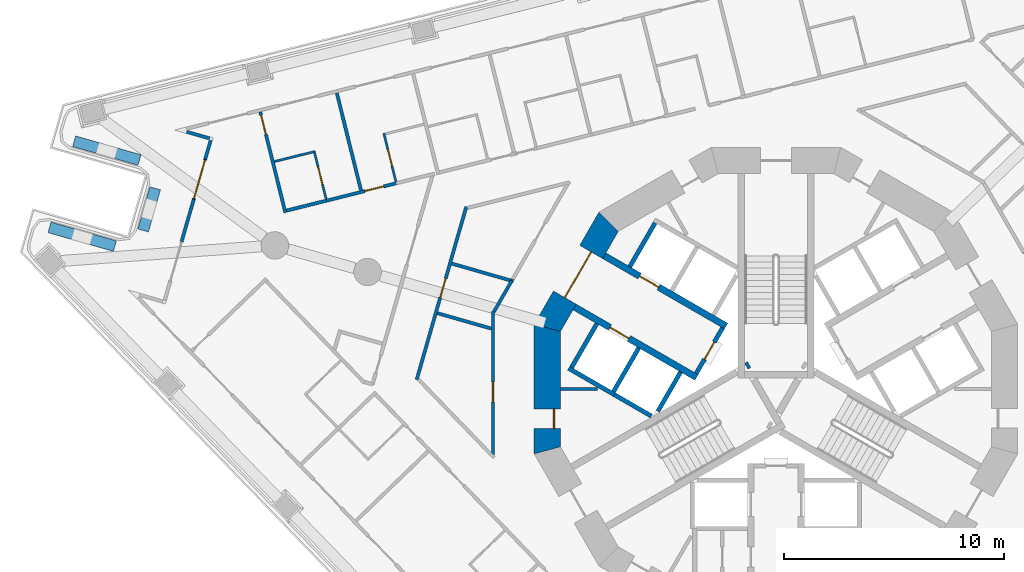
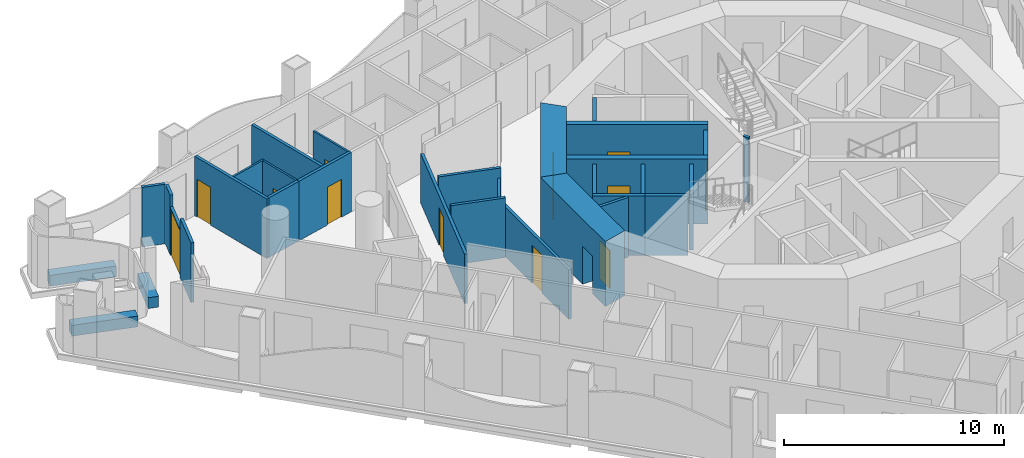
# One storey, part 7 of 20: 32 walls, 12 doors, 12 openings.
"""IFC4 building model written with IfcOpenShell, lengths in metres."""

from ifc_helpers import new_model, si_unit, direction, frame, frame_2d, origin, place, context, subcontext, project, spatial, polyline, rectangle, outline, extrude, material, layer, layer_set, type_object, element, fill, save


model = new_model("IFC4")

# Units and contexts
model_context = context("Model", 3, precision=1e-05, world=origin(), true_north=direction((0.0, 1.0)))
body_context = subcontext(model_context, "Body", "Model", "MODEL_VIEW")
ifc_project = project(units=[si_unit("LENGTHUNIT", "METRE"), si_unit("AREAUNIT", "SQUARE_METRE"), si_unit("VOLUMEUNIT", "CUBIC_METRE"), si_unit("PLANEANGLEUNIT", "RADIAN"), si_unit("MASSUNIT", "GRAM", prefix="KILO")], contexts=[model_context])

# Site, building, storey
site_placement = place(None, origin())
site = spatial("IfcSite", under=ifc_project, at=site_placement, CompositionType="ELEMENT")
building_placement = place(site_placement, origin())
building = spatial("IfcBuilding", under=site, at=building_placement, Name="Trine Commons Tower", CompositionType="ELEMENT")
storey_placement = place(building_placement, frame((0.0, 0.0, 108.89990234375)))
storey = spatial("IfcBuildingStorey", under=building, at=storey_placement, Name="L27", CompositionType="ELEMENT", Elevation=108.89990234375)

# Walls
ifc_material_1 = material(Name="Plasterboard partition on steel studs", Category="steel")
ifc_layer_1 = layer(ifc_material_1, 0.14990234375)
ifc_layer_set_1 = layer_set([ifc_layer_1], Name="Plasterboard partition on steel studs")
wall_type_1 = type_object("IfcWallType", Name="Core room partition 150 mm, EI 60", PredefinedType="PARTITIONING", material=ifc_layer_set_1)
wall_1_placement = place(storey_placement, frame((70.18798828125, 62.5, 0.0), z_axis=(0.0, 0.0, 1.0), x_axis=(1.0, 0.0, 0.0)))
element("IfcWall", 1, at=wall_1_placement, inside=storey, type_object=wall_type_1, Name="Core room partition L27", PredefinedType="PARTITIONING", context=body_context, shape_type="SweptSolid", body=[
    extrude(rectangle(XDim=1.68310546875, YDim=0.14990234375, at=frame_2d((0.841552734375, 0.0))), origin(), (0.0, 0.0, 1.0), 3.300048828125),
])
ifc_material_2 = material(Name="Aluminium-framed insulated wall panel", Category="aluminium")
ifc_layer_2 = layer(ifc_material_2, 0.14990234375)
ifc_layer_set_2 = layer_set([ifc_layer_2], Name="Aluminium-framed insulated wall panel")
wall_type_2 = type_object("IfcWallType", Name="Glazed frame wall 150, EI 60", PredefinedType="SOLIDWALL", material=ifc_layer_set_2)
wall_2_placement = place(storey_placement, frame((52.931396484375, 69.221435546875, 0.0), z_axis=(0.0, 0.0, 1.0), x_axis=(0.275511032617, 0.961297909551, 0.0)))
element("IfcWall", 2, at=wall_2_placement, inside=storey, type_object=wall_type_2, Name="Glazed frame wall P1.3", PredefinedType="SOLIDWALL", context=body_context, shape_type="SweptSolid", body=[
    extrude(outline(polyline([(0.0, -0.074951171875), (2.0, -0.074951171875), (2.0, 0.074951171875), (0.0, 0.074951171875), (0.0, -0.074951171875)])), origin(), (0.0, 0.0, 1.0), 3.300048828125),
])

# Wall, opening, door
wall_3_placement = place(storey_placement, frame((53.482421875, 71.14404296875, 0.0), z_axis=(0.0, 0.0, 1.0), x_axis=(0.275739195228, 0.961232488119, 0.0)))
wall_3 = element("IfcWall", 3, at=wall_3_placement, inside=storey, type_object=wall_type_2, Name="Glazed frame wall P1.4", PredefinedType="SOLIDWALL", context=body_context, shape_type="SweptSolid", body=[
    extrude(outline(polyline([(0.0, -0.074951171875), (1.89990234375, -0.074951171875), (1.89990234375, 0.074951171875), (0.0, 0.074951171875), (0.0, -0.074951171875)])), origin(), (0.0, 0.0, 1.0), 2.650146484375),
])
opening_1_placement = place(wall_3_placement, frame((0.050048828125, 0.0, 0.0)))
opening_1 = element("IfcOpeningElement", 4, at=opening_1_placement, cuts=wall_3, Name="Opening BD-3P1-02", PredefinedType="OPENING", context=body_context, shape_type="SweptSolid", body=[
    extrude(rectangle(XDim=1.800048828125, YDim=2.60009765625, at=frame_2d((0.89990234375, 1.300048828125))), frame((0.0, 0.0849609375, 0.0), z_axis=(0.0, -1.0, 0.0), x_axis=(1.0, 0.0, 0.0)), (0.0, 0.0, 1.0), 0.169921875),
])
ifc_material_3 = material(Name="Anodised aluminium frame with double glazing", Category="aluminium")
door_type_1 = type_object("IfcDoorType", Name="Sliding loggia door 1800x2600", OperationType="SLIDING_TO_LEFT", PredefinedType="DOOR", material=ifc_material_3)
door_1_placement = place(opening_1_placement, origin())
door_1 = element("IfcDoor", 5, at=door_1_placement, inside=storey, type_object=door_type_1, Name="Loggia door P1 2", OperationType="SLIDING_TO_LEFT", OverallHeight=2.60009765625, OverallWidth=1.800048828125, PredefinedType="DOOR", context=body_context, shape_type="SweptSolid", body=[
    extrude(rectangle(XDim=1.800048828125, YDim=2.60009765625, at=frame_2d((0.89990234375, 1.300048828125))), frame((0.0, 0.02490234375, 0.0), z_axis=(0.0, -1.0, 0.0), x_axis=(1.0, 0.0, 0.0)), (0.0, 0.0, 1.0), 0.050048828125),
])
fill(opening_1, door_1)

# Walls
wall_4_placement = place(storey_placement, frame((54.00634765625, 72.970458984375, 0.0), z_axis=(0.0, 0.0, 1.0), x_axis=(0.275656175253, 0.961256299353, 0.0)))
element("IfcWall", 6, at=wall_4_placement, inside=storey, type_object=wall_type_2, Name="Glazed frame wall P1.5", PredefinedType="SOLIDWALL", context=body_context, shape_type="SweptSolid", body=[
    extrude(outline(polyline([(0.889892578125, 0.074951171875), (0.0, 0.074951171875), (0.0, -0.074951171875), (0.889892578125, -0.074951171875), (0.889892578125, 0.074951171875)])), origin(), (0.0, 0.0, 1.0), 3.300048828125),
])
wall_5_placement = place(storey_placement, frame((54.305908203125, 73.888427734375, 0.0), z_axis=(0.0, 0.0, 1.0), x_axis=(-0.961242628544, 0.275703843044, 0.0)))
element("IfcWall", 7, at=wall_5_placement, inside=storey, type_object=wall_type_2, Name="Glazed frame wall R3", PredefinedType="SOLIDWALL", context=body_context, shape_type="SweptSolid", body=[
    extrude(outline(polyline([(0.110107421875, 0.074951171875), (0.110107421875, -0.074951171875), (1.19580078125, -0.074951171875), (1.19580078125, 0.074951171875), (0.110107421875, 0.074951171875)])), origin(), (0.0, 0.0, 1.0), 3.300048828125),
])

# Wall, opening, door
ifc_material_4 = material(Name="Fire-rated gypsum shaft wall system")
ifc_layer_3 = layer(ifc_material_4, 0.199951171875)
ifc_layer_set_3 = layer_set([ifc_layer_3], Name="Fire-rated gypsum shaft wall system")
wall_type_3 = type_object("IfcWallType", Name="Lobby end wall 200 mm, EI 120", PredefinedType="PARTITIONING", material=ifc_layer_set_3)
wall_6_placement = place(storey_placement, frame((77.569091796875, 65.2890625, 0.0), z_axis=(0.0, 0.0, 1.0), x_axis=(-0.50012165622, -0.865955154139, 0.0)))
wall_6 = element("IfcWall", 8, at=wall_6_placement, inside=storey, type_object=wall_type_3, Name="Lobby end wall L27", PredefinedType="PARTITIONING", context=body_context, shape_type="SweptSolid", body=[
    extrude(rectangle(XDim=2.39990234375, YDim=0.199951171875, at=frame_2d((1.199951171875, 0.0))), origin(), (0.0, 0.0, 1.0), 3.300048828125),
])
opening_2_placement = place(wall_6_placement, frame((0.749755859375, 0.0, 0.0)))
opening_2 = element("IfcOpeningElement", 9, at=opening_2_placement, cuts=wall_6, Name="Opening K06.07", PredefinedType="OPENING", context=body_context, shape_type="SweptSolid", body=[
    extrude(rectangle(XDim=0.89990234375, YDim=2.10009765625, at=frame_2d((0.449951171875, 1.050048828125))), frame((0.0, 0.10986328125, 0.0), z_axis=(0.0, -1.0, 0.0), x_axis=(1.0, 0.0, 0.0)), (0.0, 0.0, 1.0), 0.219970703125),
])
ifc_material_5 = material(Name="Steel door leaf, fire-rated", Category="steel")
door_type_2 = type_object("IfcDoorType", Name="Riser access door, single leaf 900 x 2100, FD60", OperationType="SINGLE_SWING_LEFT", PredefinedType="DOOR", material=ifc_material_5)
door_2_placement = place(opening_2_placement, frame((0.89990234375, 0.0, 0.0), z_axis=(0.0, 0.0, 1.0), x_axis=(-1.0, 0.0, 0.0)))
door_2 = element("IfcDoor", 10, at=door_2_placement, inside=storey, type_object=door_type_2, Name="Riser door, Mechanical riser L27", OperationType="SINGLE_SWING_RIGHT", OverallHeight=2.10009765625, OverallWidth=0.89990234375, PredefinedType="DOOR", context=body_context, shape_type="SweptSolid", body=[
    extrude(rectangle(XDim=0.89990234375, YDim=2.10009765625, at=frame_2d((0.449951171875, 1.050048828125))), frame((0.0, 0.02490234375, 0.0), z_axis=(0.0, -1.0, 0.0), x_axis=(1.0, 0.0, 0.0)), (0.0, 0.0, 1.0), 0.050048828125),
])
fill(opening_2, door_2)

# Walls
ifc_material_6 = material(Name="Planter trough, precast concrete C40/50", Category="concrete")
ifc_layer_4 = layer(ifc_material_6, 0.5)
ifc_layer_set_4 = layer_set([ifc_layer_4], Name="Planter trough, precast concrete C40/50")
wall_type_4 = type_object("IfcWallType", Name="Planter trough 500x600", PredefinedType="PARAPET", material=ifc_layer_set_4)
wall_7_placement = place(storey_placement, frame((46.91064453125, 69.865966796875, 0.0), z_axis=(0.0, 0.0, 1.0), x_axis=(0.961261991794, -0.275636324044, 0.0)))
element("IfcWall", 11, at=wall_7_placement, inside=storey, type_object=wall_type_4, Name="Planter 1", PredefinedType="PARAPET", context=body_context, shape_type="SweptSolid", body=[
    extrude(rectangle(XDim=3.10009765625, YDim=0.5, at=frame_2d((1.550048828125, 0.0))), origin(), (0.0, 0.0, 1.0), 0.60009765625),
])
wall_8_placement = place(storey_placement, frame((51.177001953125, 69.724609375, 0.0), z_axis=(0.0, 0.0, 1.0), x_axis=(0.275623830648, 0.961265574115, 0.0)))
element("IfcWall", 12, at=wall_8_placement, inside=storey, type_object=wall_type_4, Name="Planter 2", PredefinedType="PARAPET", context=body_context, shape_type="SweptSolid", body=[
    extrude(rectangle(XDim=2.0, YDim=0.5, at=frame_2d((1.0, 0.0))), origin(), (0.0, 0.0, 1.0), 0.60009765625),
])
wall_9_placement = place(storey_placement, frame((51.01513671875, 72.93359375, 0.0), z_axis=(0.0, 0.0, 1.0), x_axis=(-0.961261991794, 0.275636324044, 0.0)))
element("IfcWall", 13, at=wall_9_placement, inside=storey, type_object=wall_type_4, Name="Planter 3", PredefinedType="PARAPET", context=body_context, shape_type="SweptSolid", body=[
    extrude(rectangle(XDim=3.10009765625, YDim=0.5, at=frame_2d((1.550048828125, 0.0))), origin(), (0.0, 0.0, 1.0), 0.60009765625),
])

# Wall, opening, door
ifc_material_7 = material(Name="Concrete C70/85", Category="concrete")
ifc_layer_5 = layer(ifc_material_7, 1.199951171875)
ifc_layer_set_5 = layer_set([ifc_layer_5], Name="Concrete C70/85")
wall_type_5 = type_object("IfcWallType", Name="RC shear wall 1200 mm, C70/85", PredefinedType="SHEAR", material=ifc_layer_set_5)
wall_10_placement = place(storey_placement, frame((72.45849609375, 70.260986328125, 0.0), z_axis=(0.0, 0.0, 1.0), x_axis=(-0.499979111662, -0.866037463336, 0.0)))
wall_10 = element("IfcWall", 14, at=wall_10_placement, inside=storey, type_object=wall_type_5, Name="Core wall CWC-06 L27", PredefinedType="SHEAR", context=body_context, shape_type="SweptSolid", body=[
    extrude(outline(polyline([(0.0, -0.60009765625), (5.901123046875, -0.60009765625), (5.57958984375, 0.60009765625), (0.321533203125, 0.60009765625), (0.0, -0.60009765625)])), origin(), (0.0, 0.0, 1.0), 3.60009765625),
])
opening_3_placement = place(wall_10_placement, frame((1.75048828125, 0.0, 0.0)))
opening_3 = element("IfcOpeningElement", 15, at=opening_3_placement, cuts=wall_10, Name="Opening K06.06", PredefinedType="OPENING", context=body_context, shape_type="SweptSolid", body=[
    extrude(rectangle(XDim=2.39990234375, YDim=2.10009765625, at=frame_2d((1.199951171875, 1.050048828125))), frame((0.0, 0.60986328125, 0.0), z_axis=(0.0, -1.0, 0.0), x_axis=(1.0, 0.0, 0.0)), (0.0, 0.0, 1.0), 1.219970703125),
])
ifc_material_8 = material(Name="Steel door leaves, fire-rated", Category="steel")
door_type_3 = type_object("IfcDoorType", Name="Lobby door, double leaf 2400 x 2100, FD60", OperationType="DOUBLE_DOOR_SINGLE_SWING", PredefinedType="DOOR", material=ifc_material_8)
door_3_placement = place(opening_3_placement, origin())
door_3 = element("IfcDoor", 16, at=door_3_placement, inside=storey, type_object=door_type_3, Name="Lobby door, Passenger lift lobby B L27", OperationType="DOUBLE_DOOR_SINGLE_SWING", OverallHeight=2.10009765625, OverallWidth=2.39990234375, PredefinedType="DOOR", context=body_context, shape_type="SweptSolid", body=[
    extrude(rectangle(XDim=2.39990234375, YDim=2.10009765625, at=frame_2d((1.199951171875, 1.050048828125))), frame((0.0, 0.02490234375, 0.0), z_axis=(0.0, -1.0, 0.0), x_axis=(1.0, 0.0, 0.0)), (0.0, 0.0, 1.0), 0.050048828125),
])
fill(opening_3, door_3)

wall_11_placement = place(storey_placement, frame((69.58837890625, 65.450439453125, 0.0), z_axis=(0.0, 0.0, 1.0), x_axis=(0.0, -1.0, 0.0)))
wall_11 = element("IfcWall", 17, at=wall_11_placement, inside=storey, type_object=wall_type_5, Name="Core wall CWC-07 L27", PredefinedType="SHEAR", context=body_context, shape_type="SweptSolid", body=[
    extrude(outline(polyline([(0.0, -0.60009765625), (5.90087890625, -0.60009765625), (5.57958984375, 0.60009765625), (0.321533203125, 0.60009765625), (0.0, -0.60009765625)])), origin(), (0.0, 0.0, 1.0), 3.60009765625),
])
opening_4_placement = place(wall_11_placement, frame((3.8505859375, 0.0, 0.0)))
opening_4 = element("IfcOpeningElement", 18, at=opening_4_placement, cuts=wall_11, Name="Opening K06.14", PredefinedType="OPENING", context=body_context, shape_type="SweptSolid", body=[
    extrude(rectangle(XDim=0.89990234375, YDim=2.10009765625, at=frame_2d((0.449951171875, 1.050048828125))), frame((0.0, 0.60986328125, 0.0), z_axis=(0.0, -1.0, 0.0), x_axis=(1.0, 0.0, 0.0)), (0.0, 0.0, 1.0), 1.219970703125),
])
door_type_4 = type_object("IfcDoorType", Name="Core room door, single leaf 900 x 2100, FD30S", OperationType="SINGLE_SWING_LEFT", PredefinedType="DOOR", material=ifc_material_5)
door_4_placement = place(opening_4_placement, origin())
door_4 = element("IfcDoor", 19, at=door_4_placement, inside=storey, type_object=door_type_4, Name="Door to Comms room L27", OperationType="SINGLE_SWING_RIGHT", OverallHeight=2.10009765625, OverallWidth=0.89990234375, PredefinedType="DOOR", context=body_context, shape_type="SweptSolid", body=[
    extrude(rectangle(XDim=0.89990234375, YDim=2.10009765625, at=frame_2d((0.449951171875, 1.050048828125))), frame((0.0, 0.3251953125, 0.0), z_axis=(0.0, -1.0, 0.0), x_axis=(1.0, 0.0, 0.0)), (0.0, 0.0, 1.0), 0.050048828125),
])
fill(opening_4, door_4)

ifc_layer_6 = layer(ifc_material_7, 0.300048828125)
ifc_layer_set_6 = layer_set([ifc_layer_6], Name="Concrete C70/85")
wall_type_6 = type_object("IfcWallType", Name="RC shear wall 300 mm, C70/85", PredefinedType="SHEAR", material=ifc_layer_set_6)
wall_12_placement = place(storey_placement, frame((76.381103515625, 63.031005859375, 0.0), z_axis=(0.0, 0.0, 1.0), x_axis=(-0.866032150378, 0.499988314375, 0.0)))
wall_12 = element("IfcWall", 20, at=wall_12_placement, inside=storey, type_object=wall_type_6, Name="Core cross wall SWA-01 L27", PredefinedType="SHEAR", context=body_context, shape_type="SweptSolid", body=[
    extrude(rectangle(XDim=6.412353515625, YDim=0.300048828125, at=frame_2d((3.2060546875, 0.0))), origin(), (0.0, 0.0, 1.0), 3.60009765625),
])
opening_5_placement = place(wall_12_placement, frame((3.55029296875, 0.0, 0.0)))
opening_5 = element("IfcOpeningElement", 21, at=opening_5_placement, cuts=wall_12, Name="Opening LD3", PredefinedType="OPENING", context=body_context, shape_type="SweptSolid", body=[
    extrude(rectangle(XDim=1.0, YDim=2.10009765625, at=frame_2d((0.5, 1.050048828125))), frame((0.0, 0.159912109375, 0.0), z_axis=(0.0, -1.0, 0.0), x_axis=(1.0, 0.0, 0.0)), (0.0, 0.0, 1.0), 0.320068359375),
])
ifc_material_9 = material(Name="Stainless steel sliding door leaves", Category="steel")
door_type_5 = type_object("IfcDoorType", Name="Lift landing door, centre-opening sliding 1000 x 2100, FD90", OperationType="DOUBLE_DOOR_SLIDING", PredefinedType="DOOR", material=ifc_material_9)
door_5_placement = place(opening_5_placement, origin())
door_5 = element("IfcDoor", 22, at=door_5_placement, inside=storey, type_object=door_type_5, Name="Lift landing door LR3 L27", OperationType="DOUBLE_DOOR_SLIDING", OverallHeight=2.10009765625, OverallWidth=1.0, PredefinedType="DOOR", context=body_context, shape_type="SweptSolid", body=[
    extrude(rectangle(XDim=1.0, YDim=2.10009765625, at=frame_2d((0.5, 1.050048828125))), frame((0.0, 0.02490234375, 0.0), z_axis=(0.0, -1.0, 0.0), x_axis=(1.0, 0.0, 0.0)), (0.0, 0.0, 1.0), 0.050048828125),
])
fill(opening_5, door_5)

wall_13_placement = place(storey_placement, frame((77.73095703125, 65.368896484375, 0.0), z_axis=(0.0, 0.0, 1.0), x_axis=(-0.866022631842, 0.500004801114, 0.0)))
wall_13 = element("IfcWall", 23, at=wall_13_placement, inside=storey, type_object=wall_type_6, Name="Core cross wall SWA-02 L27", PredefinedType="SHEAR", context=body_context, shape_type="SweptSolid", body=[
    extrude(rectangle(XDim=6.412109375, YDim=0.300048828125, at=frame_2d((3.2060546875, 0.0))), origin(), (0.0, 0.0, 1.0), 3.60009765625),
])
opening_6_placement = place(wall_13_placement, frame((3.55029296875, 0.0, 0.0)))
opening_6 = element("IfcOpeningElement", 24, at=opening_6_placement, cuts=wall_13, Name="Opening LD4", PredefinedType="OPENING", context=body_context, shape_type="SweptSolid", body=[
    extrude(rectangle(XDim=1.0, YDim=2.10009765625, at=frame_2d((0.5, 1.050048828125))), frame((0.0, 0.159912109375, 0.0), z_axis=(0.0, -1.0, 0.0), x_axis=(1.0, 0.0, 0.0)), (0.0, 0.0, 1.0), 0.320068359375),
])
door_6_placement = place(opening_6_placement, origin())
door_6 = element("IfcDoor", 25, at=door_6_placement, inside=storey, type_object=door_type_5, Name="Lift landing door LR4 L27", OperationType="DOUBLE_DOOR_SLIDING", OverallHeight=2.10009765625, OverallWidth=1.0, PredefinedType="DOOR", context=body_context, shape_type="SweptSolid", body=[
    extrude(rectangle(XDim=1.0, YDim=2.10009765625, at=frame_2d((0.5, 1.050048828125))), frame((0.0, 0.02490234375, 0.0), z_axis=(0.0, -1.0, 0.0), x_axis=(1.0, 0.0, 0.0)), (0.0, 0.0, 1.0), 0.050048828125),
])
fill(opening_6, door_6)

# Walls
wall_14_placement = place(storey_placement, frame((78.779052734375, 63.614013671875, 0.0), z_axis=(0.0, 0.0, 1.0), x_axis=(-0.867737973955, -0.497021939713, 0.0)))
element("IfcWall", 26, at=wall_14_placement, inside=storey, type_object=wall_type_6, Name="Core cross wall SWA-09 L27", PredefinedType="SHEAR", context=body_context, shape_type="SweptSolid", body=[
    extrude(rectangle(XDim=0.14892578125, YDim=0.300048828125, at=frame_2d((0.074462890625, 0.0))), origin(), (0.0, 0.0, 1.0), 3.60009765625),
])
ifc_layer_7 = layer(ifc_material_4, 0.199951171875)
ifc_layer_set_7 = layer_set([ifc_layer_7], Name="Fire-rated gypsum shaft wall system")
wall_type_7 = type_object("IfcWallType", Name="Shaft wall 200 mm, EI 120", PredefinedType="PARTITIONING", material=ifc_layer_set_7)
wall_15_placement = place(storey_placement, frame((71.844970703125, 65.47607421875, 0.0), z_axis=(0.0, 0.0, 1.0), x_axis=(-0.500136062276, -0.86594683394, 0.0)))
element("IfcWall", 27, at=wall_15_placement, inside=storey, type_object=wall_type_7, Name="Shaft wall L27", PredefinedType="PARTITIONING", context=body_context, shape_type="SweptSolid", body=[
    extrude(rectangle(XDim=2.299072265625, YDim=0.199951171875, at=frame_2d((1.1494140625, 0.0))), origin(), (0.0, 0.0, 1.0), 3.300048828125),
])
wall_16_placement = place(storey_placement, frame((72.637939453125, 62.248046875, 0.0), z_axis=(0.0, 0.0, 1.0), x_axis=(-0.866177122335, 0.499737123639, 0.0)))
element("IfcWall", 28, at=wall_16_placement, inside=storey, type_object=wall_type_7, Name="Shaft wall L27", PredefinedType="PARTITIONING", context=body_context, shape_type="SweptSolid", body=[
    extrude(rectangle(XDim=2.401123046875, YDim=0.199951171875, at=frame_2d((1.20068359375, 0.0))), origin(), (0.0, 0.0, 1.0), 3.300048828125),
])
wall_17_placement = place(storey_placement, frame((73.344970703125, 68.073974609375, 0.0), z_axis=(0.0, 0.0, 1.0), x_axis=(0.500215680983, 0.865900844496, 0.0)))
element("IfcWall", 29, at=wall_17_placement, inside=storey, type_object=wall_type_7, Name="Shaft wall L27", PredefinedType="PARTITIONING", context=body_context, shape_type="SweptSolid", body=[
    extrude(rectangle(XDim=2.29931640625, YDim=0.199951171875, at=frame_2d((1.149658203125, 0.0))), origin(), (0.0, 0.0, 1.0), 3.300048828125),
])
wall_18_placement = place(storey_placement, frame((73.7509765625, 64.3759765625, 0.0), z_axis=(0.0, 0.0, 1.0), x_axis=(-0.500136062276, -0.86594683394, 0.0)))
element("IfcWall", 30, at=wall_18_placement, inside=storey, type_object=wall_type_7, Name="Shaft wall L27", PredefinedType="PARTITIONING", context=body_context, shape_type="SweptSolid", body=[
    extrude(rectangle(XDim=2.299072265625, YDim=0.199951171875, at=frame_2d((1.1494140625, 0.0))), origin(), (0.0, 0.0, 1.0), 3.300048828125),
])
wall_19_placement = place(storey_placement, frame((74.324951171875, 61.27294921875, 0.0), z_axis=(0.0, 0.0, 1.0), x_axis=(-0.865780634835, 0.500423712812, 0.0)))
element("IfcWall", 31, at=wall_19_placement, inside=storey, type_object=wall_type_7, Name="Shaft wall L27", PredefinedType="PARTITIONING", context=body_context, shape_type="SweptSolid", body=[
    extrude(rectangle(XDim=1.948486328125, YDim=0.199951171875, at=frame_2d((0.97412109375, 0.0))), origin(), (0.0, 0.0, 1.0), 3.300048828125),
])
wall_20_placement = place(storey_placement, frame((75.656005859375, 63.27587890625, 0.0), z_axis=(0.0, 0.0, 1.0), x_axis=(-0.500271688072, -0.86586848777, 0.0)))
element("IfcWall", 32, at=wall_20_placement, inside=storey, type_object=wall_type_7, Name="Shaft wall L27", PredefinedType="PARTITIONING", context=body_context, shape_type="SweptSolid", body=[
    extrude(rectangle(XDim=2.064697265625, YDim=0.199951171875, at=frame_2d((1.0322265625, 0.0))), origin(), (0.0, 0.0, 1.0), 3.300048828125),
])

# Wall, opening, door
ifc_material_10 = material(Name="Gypsum plasterboard on steel stud", Category="steel")
ifc_layer_8 = layer(ifc_material_10, 0.14990234375)
ifc_layer_set_8 = layer_set([ifc_layer_8], Name="Gypsum plasterboard on steel stud")
wall_type_8 = type_object("IfcWallType", Name="Unit and corridor wall 150 mm, EI 60", PredefinedType="PARTITIONING", material=ifc_layer_set_8)
wall_21_placement = place(storey_placement, frame((56.513671875, 75.122314453125, 0.0), z_axis=(0.0, 0.0, 1.0), x_axis=(0.24185448203, -0.970312531879, 0.0)))
wall_21 = element("IfcWall", 33, at=wall_21_placement, inside=storey, type_object=wall_type_8, Name="Partition 002", PredefinedType="PARTITIONING", context=body_context, shape_type="SweptSolid", body=[
    extrude(rectangle(XDim=4.72314453125, YDim=0.14990234375, at=frame_2d((2.361572265625, 0.0))), origin(), (0.0, 0.0, 1.0), 3.300048828125),
])
opening_7_placement = place(wall_21_placement, frame((0.14990234375, 0.0, 0.0)))
opening_7 = element("IfcOpeningElement", 34, at=opening_7_placement, cuts=wall_21, Name="Opening D-3C07", PredefinedType="OPENING", context=body_context, shape_type="SweptSolid", body=[
    extrude(rectangle(XDim=0.89990234375, YDim=2.10009765625, at=frame_2d((0.449951171875, 1.050048828125))), frame((0.0, 0.0849609375, 0.0), z_axis=(0.0, -1.0, 0.0), x_axis=(1.0, 0.0, 0.0)), (0.0, 0.0, 1.0), 0.169921875),
])
ifc_material_11 = material(Name="Timber fire door set", Category="wood")
door_type_6 = type_object("IfcDoorType", Name="Bedroom door 900 x 2100, FD30S", OperationType="NOTDEFINED", PredefinedType="DOOR", material=ifc_material_11)
door_7_placement = place(opening_7_placement, origin())
door_7 = element("IfcDoor", 35, at=door_7_placement, inside=storey, type_object=door_type_6, Name="Door D-3C07", OperationType="SINGLE_SWING_LEFT", OverallHeight=2.10009765625, OverallWidth=0.89990234375, PredefinedType="DOOR", context=body_context, shape_type="SweptSolid", body=[
    extrude(rectangle(XDim=0.89990234375, YDim=2.10009765625, at=frame_2d((0.449951171875, 1.050048828125))), frame((0.0, 0.02490234375, 0.0), z_axis=(0.0, -1.0, 0.0), x_axis=(1.0, 0.0, 0.0)), (0.0, 0.0, 1.0), 0.050048828125),
])
fill(opening_7, door_7)

# Wall
wall_22_placement = place(storey_placement, frame((57.710693359375, 70.630126953125, 0.0), z_axis=(0.0, 0.0, 1.0), x_axis=(0.970264657276, 0.242046472483, 0.0)))
element("IfcWall", 36, at=wall_22_placement, inside=storey, type_object=wall_type_8, Name="Partition 005", PredefinedType="PARTITIONING", context=body_context, shape_type="SweptSolid", body=[
    extrude(rectangle(XDim=1.879150390625, YDim=0.14990234375, at=frame_2d((0.939453125, 0.0))), origin(), (0.0, 0.0, 1.0), 3.300048828125),
])

# Wall, opening, door
wall_23_placement = place(storey_placement, frame((59.52587890625, 71.0830078125, 0.0), z_axis=(0.0, 0.0, 1.0), x_axis=(0.970335998333, 0.24176031589, 0.0)))
wall_23 = element("IfcWall", 37, at=wall_23_placement, inside=storey, type_object=wall_type_8, Name="Partition 010", PredefinedType="PARTITIONING", context=body_context, shape_type="SweptSolid", body=[
    extrude(rectangle(XDim=3.33447265625, YDim=0.14990234375, at=frame_2d((1.667236328125, 0.0))), origin(), (0.0, 0.0, 1.0), 3.300048828125),
])
opening_8_placement = place(wall_23_placement, frame((1.792724609375, 0.0, 0.0)))
opening_8 = element("IfcOpeningElement", 38, at=opening_8_placement, cuts=wall_23, Name="Opening D-3C08", PredefinedType="OPENING", context=body_context, shape_type="SweptSolid", body=[
    extrude(rectangle(XDim=0.89990234375, YDim=2.10009765625, at=frame_2d((0.449951171875, 1.050048828125))), frame((0.0, 0.0849609375, 0.0), z_axis=(0.0, -1.0, 0.0), x_axis=(1.0, 0.0, 0.0)), (0.0, 0.0, 1.0), 0.169921875),
])
door_8_placement = place(opening_8_placement, origin())
door_8 = element("IfcDoor", 39, at=door_8_placement, inside=storey, type_object=door_type_6, Name="Door D-3C08", OperationType="SINGLE_SWING_RIGHT", OverallHeight=2.10009765625, OverallWidth=0.89990234375, PredefinedType="DOOR", context=body_context, shape_type="SweptSolid", body=[
    extrude(rectangle(XDim=0.89990234375, YDim=2.10009765625, at=frame_2d((0.449951171875, 1.050048828125))), frame((0.0, 0.02490234375, 0.0), z_axis=(0.0, -1.0, 0.0), x_axis=(1.0, 0.0, 0.0)), (0.0, 0.0, 1.0), 0.050048828125),
])
fill(opening_8, door_8)

# Wall
wall_24_placement = place(storey_placement, frame((59.99560546875, 75.990234375, 0.0), z_axis=(0.0, 0.0, 1.0), x_axis=(0.24188240248, -0.970305572163, 0.0)))
element("IfcWall", 40, at=wall_24_placement, inside=storey, type_object=wall_type_8, Name="Partition 012", PredefinedType="PARTITIONING", context=body_context, shape_type="SweptSolid", body=[
    extrude(rectangle(XDim=4.5732421875, YDim=0.14990234375, at=frame_2d((2.28662109375, 0.0))), origin(), (0.0, 0.0, 1.0), 3.300048828125),
])

# Wall, opening, door
wall_25_placement = place(storey_placement, frame((63.63720703125, 62.930908203125, 0.0), z_axis=(0.0, 0.0, 1.0), x_axis=(0.275598829518, 0.961272742341, 0.0)))
wall_25 = element("IfcWall", 41, at=wall_25_placement, inside=storey, type_object=wall_type_8, Name="Partition 023", PredefinedType="PARTITIONING", context=body_context, shape_type="SweptSolid", body=[
    extrude(rectangle(XDim=8.19140625, YDim=0.14990234375, at=frame_2d((4.095703125, 0.0))), origin(), (0.0, 0.0, 1.0), 2.75),
])
opening_9_placement = place(wall_25_placement, frame((3.89599609375, 0.0, 0.0)))
opening_9 = element("IfcOpeningElement", 42, at=opening_9_placement, cuts=wall_25, Name="Opening D-3C40", PredefinedType="OPENING", context=body_context, shape_type="SweptSolid", body=[
    extrude(rectangle(XDim=0.89990234375, YDim=2.10009765625, at=frame_2d((0.449951171875, 1.050048828125))), frame((0.0, 0.0849609375, 0.0), z_axis=(0.0, -1.0, 0.0), x_axis=(1.0, 0.0, 0.0)), (0.0, 0.0, 1.0), 0.169921875),
])
door_type_7 = type_object("IfcDoorType", Name="Service door 900 x 2100, FD30S", OperationType="NOTDEFINED", PredefinedType="DOOR", material=ifc_material_11)
door_9_placement = place(opening_9_placement, frame((0.89990234375, 0.0, 0.0), z_axis=(0.0, 0.0, 1.0), x_axis=(-1.0, 0.0, 0.0)))
door_9 = element("IfcDoor", 43, at=door_9_placement, inside=storey, type_object=door_type_7, Name="Door D-3C40", OperationType="SINGLE_SWING_LEFT", OverallHeight=2.10009765625, OverallWidth=0.89990234375, PredefinedType="DOOR", context=body_context, shape_type="SweptSolid", body=[
    extrude(rectangle(XDim=0.89990234375, YDim=2.10009765625, at=frame_2d((0.449951171875, 1.050048828125))), frame((0.0, 0.02490234375, 0.0), z_axis=(0.0, -1.0, 0.0), x_axis=(1.0, 0.0, 0.0)), (0.0, 0.0, 1.0), 0.050048828125),
])
fill(opening_9, door_9)

# Walls
wall_26_placement = place(storey_placement, frame((64.5830078125, 65.958251953125, 0.0), z_axis=(0.0, 0.0, 1.0), x_axis=(0.961285789876, -0.275553316407, 0.0)))
element("IfcWall", 44, at=wall_26_placement, inside=storey, type_object=wall_type_8, Name="Partition 027", PredefinedType="PARTITIONING", context=body_context, shape_type="SweptSolid", body=[
    extrude(rectangle(XDim=2.556884765625, YDim=0.14990234375, at=frame_2d((1.2783203125, 0.0))), origin(), (0.0, 0.0, 1.0), 3.300048828125),
])
wall_27_placement = place(storey_placement, frame((65.231201171875, 68.21728515625, 0.0), z_axis=(0.0, 0.0, 1.0), x_axis=(0.961306086513, -0.275482500411, 0.0)))
element("IfcWall", 45, at=wall_27_placement, inside=storey, type_object=wall_type_8, Name="Partition 029", PredefinedType="PARTITIONING", context=body_context, shape_type="SweptSolid", body=[
    extrude(rectangle(XDim=2.921875, YDim=0.14990234375, at=frame_2d((1.4609375, 0.0))), origin(), (0.0, 0.0, 1.0), 3.300048828125),
])

# Wall, opening, door
wall_28_placement = place(storey_placement, frame((67.113037109375, 59.49609375, 0.0), z_axis=(0.0, 0.0, 1.0), x_axis=(0.0, 1.0, 0.0)))
wall_28 = element("IfcWall", 46, at=wall_28_placement, inside=storey, type_object=wall_type_8, Name="Partition 037", PredefinedType="PARTITIONING", context=body_context, shape_type="SweptSolid", body=[
    extrude(rectangle(XDim=6.531982421875, YDim=0.14990234375, at=frame_2d((3.26611328125, 0.0))), origin(), (0.0, 0.0, 1.0), 2.75),
])
opening_10_placement = place(wall_28_placement, frame((2.41845703125, 0.0, 0.0)))
opening_10 = element("IfcOpeningElement", 47, at=opening_10_placement, cuts=wall_28, Name="Opening D-3C34", PredefinedType="OPENING", context=body_context, shape_type="SweptSolid", body=[
    extrude(rectangle(XDim=0.89990234375, YDim=2.10009765625, at=frame_2d((0.449951171875, 1.050048828125))), frame((0.0, 0.0849609375, 0.0), z_axis=(0.0, -1.0, 0.0), x_axis=(1.0, 0.0, 0.0)), (0.0, 0.0, 1.0), 0.169921875),
])
door_10_placement = place(opening_10_placement, origin())
door_10 = element("IfcDoor", 48, at=door_10_placement, inside=storey, type_object=door_type_7, Name="Door D-3C34", OperationType="SINGLE_SWING_LEFT", OverallHeight=2.10009765625, OverallWidth=0.89990234375, PredefinedType="DOOR", context=body_context, shape_type="SweptSolid", body=[
    extrude(rectangle(XDim=0.89990234375, YDim=2.10009765625, at=frame_2d((0.449951171875, 1.050048828125))), frame((0.0, 0.02490234375, 0.0), z_axis=(0.0, -1.0, 0.0), x_axis=(1.0, 0.0, 0.0)), (0.0, 0.0, 1.0), 0.050048828125),
])
fill(opening_10, door_10)

# Walls
wall_29_placement = place(storey_placement, frame((67.150390625, 66.01806640625, 0.0), z_axis=(0.0, 0.0, 1.0), x_axis=(0.49971385212, 0.866190548321, 0.0)))
element("IfcWall", 49, at=wall_29_placement, inside=storey, type_object=wall_type_8, Name="Partition 038", PredefinedType="PARTITIONING", context=body_context, shape_type="SweptSolid", body=[
    extrude(rectangle(XDim=1.63818359375, YDim=0.14990234375, at=frame_2d((0.819091796875, 0.0))), origin(), (0.0, 0.0, 1.0), 2.75),
])
ifc_layer_9 = layer(ifc_material_10, 0.10009765625)
ifc_layer_set_9 = layer_set([ifc_layer_9], Name="Gypsum plasterboard on steel stud")
wall_type_9 = type_object("IfcWallType", Name="Unit partition 100 mm, no rating", PredefinedType="PARTITIONING", material=ifc_layer_set_9)
wall_30_placement = place(storey_placement, frame((57.15478515625, 72.8623046875, 0.0), z_axis=(0.0, 0.0, 1.0), x_axis=(0.970276645771, 0.241998410475, 0.0)))
element("IfcWall", 50, at=wall_30_placement, inside=storey, type_object=wall_type_9, Name="Partition 004", PredefinedType="PARTITIONING", context=body_context, shape_type="SweptSolid", body=[
    extrude(rectangle(XDim=1.9248046875, YDim=0.10009765625, at=frame_2d((0.96240234375, 0.0))), origin(), (0.0, 0.0, 1.0), 3.300048828125),
])

# Wall, opening, door
wall_31_placement = place(storey_placement, frame((58.986083984375, 73.267578125, 0.0), z_axis=(0.0, 0.0, 1.0), x_axis=(0.241743332693, -0.970340229558, 0.0)))
wall_31 = element("IfcWall", 51, at=wall_31_placement, inside=storey, type_object=wall_type_9, Name="Partition 009", PredefinedType="PARTITIONING", context=body_context, shape_type="SweptSolid", body=[
    extrude(rectangle(XDim=2.17529296875, YDim=0.10009765625, at=frame_2d((1.087646484375, 0.0))), origin(), (0.0, 0.0, 1.0), 3.300048828125),
])
opening_11_placement = place(wall_31_placement, frame((0.6875, 0.0, 0.0)))
opening_11 = element("IfcOpeningElement", 52, at=opening_11_placement, cuts=wall_31, Name="Opening D-3C43", PredefinedType="OPENING", context=body_context, shape_type="SweptSolid", body=[
    extrude(rectangle(XDim=0.800048828125, YDim=2.10009765625, at=frame_2d((0.39990234375, 1.050048828125))), frame((0.0, 0.06005859375, 0.0), z_axis=(0.0, -1.0, 0.0), x_axis=(1.0, 0.0, 0.0)), (0.0, 0.0, 1.0), 0.1201171875),
])
ifc_material_12 = material(Name="Painted timber", Category="wood")
door_type_8 = type_object("IfcDoorType", Name="Internal door 800 x 2100, NOT RATED", OperationType="NOTDEFINED", PredefinedType="DOOR", material=ifc_material_12)
door_11_placement = place(opening_11_placement, origin())
door_11 = element("IfcDoor", 53, at=door_11_placement, inside=storey, type_object=door_type_8, Name="Door D-3C43", OperationType="SINGLE_SWING_RIGHT", OverallHeight=2.10009765625, OverallWidth=0.800048828125, PredefinedType="DOOR", context=body_context, shape_type="SweptSolid", body=[
    extrude(rectangle(XDim=0.800048828125, YDim=2.10009765625, at=frame_2d((0.39990234375, 1.050048828125))), frame((0.0, 0.02490234375, 0.0), z_axis=(0.0, -1.0, 0.0), x_axis=(1.0, 0.0, 0.0)), (0.0, 0.0, 1.0), 0.050048828125),
])
fill(opening_11, door_11)

wall_32_placement = place(storey_placement, frame((62.140869140625, 74.156494140625, 0.0), z_axis=(0.0, 0.0, 1.0), x_axis=(0.241853593672, -0.970312753306, 0.0)))
wall_32 = element("IfcWall", 54, at=wall_32_placement, inside=storey, type_object=wall_type_9, Name="Partition 019", PredefinedType="PARTITIONING", context=body_context, shape_type="SweptSolid", body=[
    extrude(rectangle(XDim=2.2744140625, YDim=0.10009765625, at=frame_2d((1.13720703125, 0.0))), origin(), (0.0, 0.0, 1.0), 3.300048828125),
])
opening_12_placement = place(wall_32_placement, frame((0.76220703125, 0.0, 0.0)))
opening_12 = element("IfcOpeningElement", 55, at=opening_12_placement, cuts=wall_32, Name="Opening D-3C44", PredefinedType="OPENING", context=body_context, shape_type="SweptSolid", body=[
    extrude(rectangle(XDim=0.800048828125, YDim=2.10009765625, at=frame_2d((0.39990234375, 1.050048828125))), frame((0.0, 0.06005859375, 0.0), z_axis=(0.0, -1.0, 0.0), x_axis=(1.0, 0.0, 0.0)), (0.0, 0.0, 1.0), 0.1201171875),
])
door_12_placement = place(opening_12_placement, frame((0.800048828125, 0.0, 0.0), z_axis=(0.0, 0.0, 1.0), x_axis=(-1.0, 0.0, 0.0)))
door_12 = element("IfcDoor", 56, at=door_12_placement, inside=storey, type_object=door_type_8, Name="Door D-3C44", OperationType="SINGLE_SWING_LEFT", OverallHeight=2.10009765625, OverallWidth=0.800048828125, PredefinedType="DOOR", context=body_context, shape_type="SweptSolid", body=[
    extrude(rectangle(XDim=0.800048828125, YDim=2.10009765625, at=frame_2d((0.39990234375, 1.050048828125))), frame((0.0, 0.02490234375, 0.0), z_axis=(0.0, -1.0, 0.0), x_axis=(1.0, 0.0, 0.0)), (0.0, 0.0, 1.0), 0.050048828125),
])
fill(opening_12, door_12)

save(model, "model.ifc")
